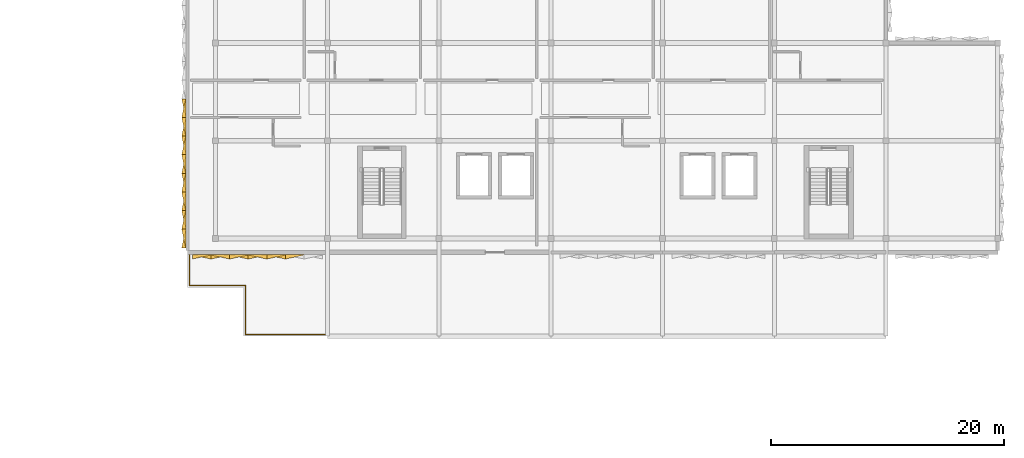
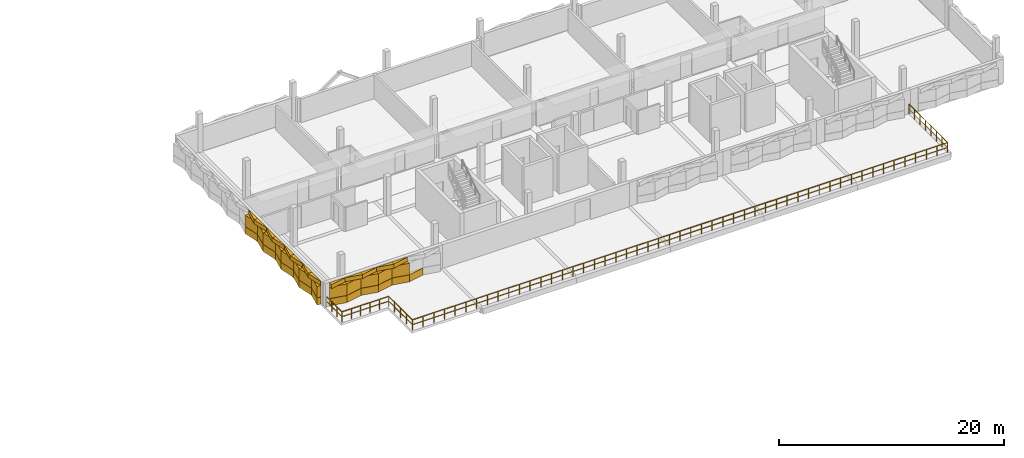
# One storey, part 9 of 13: 40 coverings, 1 railing.
"""IFC4 building model written with IfcOpenShell, lengths in metres."""

from ifc_helpers import new_model, si_unit, direction, frame, origin, origin_2d, place, context, subcontext, project, spatial, polyline, circle, outline, extrude, material, type_object, element, save


model = new_model("IFC4")

# Units and contexts
model_context = context("Model", 3, precision=1e-05, world=origin(), true_north=direction((0.0, 1.0)))
body_context = subcontext(model_context, "Body", "Model", "MODEL_VIEW")
ifc_project = project(units=[si_unit("LENGTHUNIT", "METRE"), si_unit("AREAUNIT", "SQUARE_METRE"), si_unit("VOLUMEUNIT", "CUBIC_METRE"), si_unit("PLANEANGLEUNIT", "RADIAN"), si_unit("MASSUNIT", "GRAM", prefix="KILO")], contexts=[model_context])

# Site, building, storey
site_placement = place(None, origin())
site = spatial("IfcSite", under=ifc_project, at=site_placement, CompositionType="ELEMENT")
building_placement = place(site_placement, origin())
building = spatial("IfcBuilding", under=site, at=building_placement, Name="Oolite Switchyard Hospital", CompositionType="ELEMENT")
storey_placement = place(building_placement, frame((0.0, 0.0, 30.39990234375)))
storey = spatial("IfcBuildingStorey", under=building, at=storey_placement, Name="L07", CompositionType="ELEMENT", Elevation=30.39990234375)

# Coverings
ifc_material_1 = material(Name="Precast oolitic limestone architectural concrete C40/50", Category="masonry")
covering_type = type_object("IfcCoveringType", Name="COV-CHEV-COOL", PredefinedType="CLADDING", material=ifc_material_1)
covering_1_placement = place(storey_placement, frame((151.60009765625, 107.820068359375, 0.050048828125), z_axis=(0.0, 0.0, 1.0), x_axis=(-1.0, 0.0, 0.0)))
element("IfcCovering", 1, at=covering_1_placement, inside=storey, type_object=covering_type, Name="L07 Chevron Precast Oolite Panel 1700", PredefinedType="CLADDING", context=body_context, shape_type="SweptSolid", body=[
    extrude(outline(polyline([(0.0, 0.0), (1.60009765625, 0.0), (1.60009765625, 0.385009765625), (0.0, 0.044921875), (0.0, 0.0)])), origin(), (0.0, 0.0, 1.0), 0.760009765625),
])
covering_2_placement = place(storey_placement, frame((150.0, 107.820068359375, 0.050048828125), z_axis=(0.0, 0.0, 1.0), x_axis=(-1.0, 0.0, 0.0)))
element("IfcCovering", 2, at=covering_2_placement, inside=storey, type_object=covering_type, Name="L07 Chevron Precast Oolite Panel 1703", PredefinedType="CLADDING", context=body_context, shape_type="SweptSolid", body=[
    extrude(outline(polyline([(0.0, 0.0), (1.60009765625, 0.0), (1.60009765625, 0.044921875), (0.0, 0.385009765625), (0.0, 0.0)])), origin(), (0.0, 0.0, 1.0), 0.760009765625),
])
covering_3_placement = place(storey_placement, frame((150.0, 107.820068359375, 2.090087890625), z_axis=(0.0, 0.0, 1.0), x_axis=(-1.0, 0.0, 0.0)))
element("IfcCovering", 3, at=covering_3_placement, inside=storey, type_object=covering_type, Name="L07 Chevron Precast Oolite Panel 1704", PredefinedType="CLADDING", context=body_context, shape_type="SweptSolid", body=[
    extrude(outline(polyline([(0.0, 0.0), (1.60009765625, 0.0), (1.60009765625, 0.385009765625), (0.0, 0.044921875), (0.0, 0.0)])), origin(), (0.0, 0.0, 1.0), 0.43994140625),
])
covering_4_placement = place(storey_placement, frame((150.0, 107.820068359375, 0.830078125), z_axis=(0.0, 0.0, 1.0), x_axis=(-1.0, 0.0, 0.0)))
element("IfcCovering", 4, at=covering_4_placement, inside=storey, type_object=covering_type, Name="L07 Chevron Precast Oolite Panel 1705", PredefinedType="CLADDING", context=body_context, shape_type="SweptSolid", body=[
    extrude(outline(polyline([(0.0, 0.0), (1.60009765625, 0.0), (1.60009765625, 0.044921875), (0.0, 0.385009765625), (0.0, 0.0)])), origin(), (0.0, 0.0, 1.0), 1.239990234375),
])
covering_5_placement = place(storey_placement, frame((148.39990234375, 107.820068359375, 0.050048828125), z_axis=(0.0, 0.0, 1.0), x_axis=(-1.0, 0.0, 0.0)))
element("IfcCovering", 5, at=covering_5_placement, inside=storey, type_object=covering_type, Name="L07 Chevron Precast Oolite Panel 1706", PredefinedType="CLADDING", context=body_context, shape_type="SweptSolid", body=[
    extrude(outline(polyline([(0.0, 0.0), (1.599853515625, 0.0), (1.599853515625, 0.385009765625), (0.0, 0.044921875), (0.0, 0.0)])), origin(), (0.0, 0.0, 1.0), 0.760009765625),
])
covering_6_placement = place(storey_placement, frame((148.39990234375, 107.820068359375, 2.090087890625), z_axis=(0.0, 0.0, 1.0), x_axis=(-1.0, 0.0, 0.0)))
element("IfcCovering", 6, at=covering_6_placement, inside=storey, type_object=covering_type, Name="L07 Chevron Precast Oolite Panel 1707", PredefinedType="CLADDING", context=body_context, shape_type="SweptSolid", body=[
    extrude(outline(polyline([(0.0, 0.0), (1.599853515625, 0.0), (1.599853515625, 0.044921875), (0.0, 0.385009765625), (0.0, 0.0)])), origin(), (0.0, 0.0, 1.0), 0.43994140625),
])
covering_7_placement = place(storey_placement, frame((148.39990234375, 107.820068359375, 0.830078125), z_axis=(0.0, 0.0, 1.0), x_axis=(-1.0, 0.0, 0.0)))
element("IfcCovering", 7, at=covering_7_placement, inside=storey, type_object=covering_type, Name="L07 Chevron Precast Oolite Panel 1708", PredefinedType="CLADDING", context=body_context, shape_type="SweptSolid", body=[
    extrude(outline(polyline([(0.0, 0.0), (1.599853515625, 0.0), (1.599853515625, 0.385009765625), (0.0, 0.044921875), (0.0, 0.0)])), origin(), (0.0, 0.0, 1.0), 1.239990234375),
])
covering_8_placement = place(storey_placement, frame((146.800048828125, 107.820068359375, 0.050048828125), z_axis=(0.0, 0.0, 1.0), x_axis=(-1.0, 0.0, 0.0)))
element("IfcCovering", 8, at=covering_8_placement, inside=storey, type_object=covering_type, Name="L07 Chevron Precast Oolite Panel 1709", PredefinedType="CLADDING", context=body_context, shape_type="SweptSolid", body=[
    extrude(outline(polyline([(0.0, 0.0), (1.60009765625, 0.0), (1.60009765625, 0.044921875), (0.0, 0.385009765625), (0.0, 0.0)])), origin(), (0.0, 0.0, 1.0), 0.760009765625),
])
covering_9_placement = place(storey_placement, frame((146.800048828125, 107.820068359375, 2.090087890625), z_axis=(0.0, 0.0, 1.0), x_axis=(-1.0, 0.0, 0.0)))
element("IfcCovering", 9, at=covering_9_placement, inside=storey, type_object=covering_type, Name="L07 Chevron Precast Oolite Panel 1710", PredefinedType="CLADDING", context=body_context, shape_type="SweptSolid", body=[
    extrude(outline(polyline([(0.0, 0.0), (1.60009765625, 0.0), (1.60009765625, 0.385009765625), (0.0, 0.044921875), (0.0, 0.0)])), origin(), (0.0, 0.0, 1.0), 0.43994140625),
])
covering_10_placement = place(storey_placement, frame((146.800048828125, 107.820068359375, 0.830078125), z_axis=(0.0, 0.0, 1.0), x_axis=(-1.0, 0.0, 0.0)))
element("IfcCovering", 10, at=covering_10_placement, inside=storey, type_object=covering_type, Name="L07 Chevron Precast Oolite Panel 1711", PredefinedType="CLADDING", context=body_context, shape_type="SweptSolid", body=[
    extrude(outline(polyline([(0.0, 0.0), (1.60009765625, 0.0), (1.60009765625, 0.044921875), (0.0, 0.385009765625), (0.0, 0.0)])), origin(), (0.0, 0.0, 1.0), 1.239990234375),
])
covering_11_placement = place(storey_placement, frame((145.199951171875, 107.820068359375, 0.050048828125), z_axis=(0.0, 0.0, 1.0), x_axis=(-1.0, 0.0, 0.0)))
element("IfcCovering", 11, at=covering_11_placement, inside=storey, type_object=covering_type, Name="L07 Chevron Precast Oolite Panel 1712", PredefinedType="CLADDING", context=body_context, shape_type="SweptSolid", body=[
    extrude(outline(polyline([(0.0, 0.0), (1.599853515625, 0.0), (1.599853515625, 0.385009765625), (0.0, 0.044921875), (0.0, 0.0)])), origin(), (0.0, 0.0, 1.0), 0.760009765625),
])
covering_12_placement = place(storey_placement, frame((145.199951171875, 107.820068359375, 2.090087890625), z_axis=(0.0, 0.0, 1.0), x_axis=(-1.0, 0.0, 0.0)))
element("IfcCovering", 12, at=covering_12_placement, inside=storey, type_object=covering_type, Name="L07 Chevron Precast Oolite Panel 1713", PredefinedType="CLADDING", context=body_context, shape_type="SweptSolid", body=[
    extrude(outline(polyline([(0.0, 0.0), (1.599853515625, 0.0), (1.599853515625, 0.044921875), (0.0, 0.385009765625), (0.0, 0.0)])), origin(), (0.0, 0.0, 1.0), 0.43994140625),
])
covering_13_placement = place(storey_placement, frame((145.199951171875, 107.820068359375, 0.830078125), z_axis=(0.0, 0.0, 1.0), x_axis=(-1.0, 0.0, 0.0)))
element("IfcCovering", 13, at=covering_13_placement, inside=storey, type_object=covering_type, Name="L07 Chevron Precast Oolite Panel 1714", PredefinedType="CLADDING", context=body_context, shape_type="SweptSolid", body=[
    extrude(outline(polyline([(0.0, 0.0), (1.599853515625, 0.0), (1.599853515625, 0.385009765625), (0.0, 0.044921875), (0.0, 0.0)])), origin(), (0.0, 0.0, 1.0), 1.239990234375),
])
covering_14_placement = place(storey_placement, frame((143.60009765625, 107.820068359375, 0.050048828125), z_axis=(0.0, 0.0, 1.0), x_axis=(-1.0, 0.0, 0.0)))
element("IfcCovering", 14, at=covering_14_placement, inside=storey, type_object=covering_type, Name="L07 Chevron Precast Oolite Panel 1715", PredefinedType="CLADDING", context=body_context, shape_type="SweptSolid", body=[
    extrude(outline(polyline([(0.0, 0.0), (1.60009765625, 0.0), (1.60009765625, 0.044921875), (0.0, 0.385009765625), (0.0, 0.0)])), origin(), (0.0, 0.0, 1.0), 0.760009765625),
])
covering_15_placement = place(storey_placement, frame((143.60009765625, 107.820068359375, 2.090087890625), z_axis=(0.0, 0.0, 1.0), x_axis=(-1.0, 0.0, 0.0)))
element("IfcCovering", 15, at=covering_15_placement, inside=storey, type_object=covering_type, Name="L07 Chevron Precast Oolite Panel 1716", PredefinedType="CLADDING", context=body_context, shape_type="SweptSolid", body=[
    extrude(outline(polyline([(0.0, 0.0), (1.60009765625, 0.0), (1.60009765625, 0.385009765625), (0.0, 0.044921875), (0.0, 0.0)])), origin(), (0.0, 0.0, 1.0), 0.43994140625),
])
covering_16_placement = place(storey_placement, frame((143.60009765625, 107.820068359375, 0.830078125), z_axis=(0.0, 0.0, 1.0), x_axis=(-1.0, 0.0, 0.0)))
element("IfcCovering", 16, at=covering_16_placement, inside=storey, type_object=covering_type, Name="L07 Chevron Precast Oolite Panel 1717", PredefinedType="CLADDING", context=body_context, shape_type="SweptSolid", body=[
    extrude(outline(polyline([(0.0, 0.0), (1.60009765625, 0.0), (1.60009765625, 0.044921875), (0.0, 0.385009765625), (0.0, 0.0)])), origin(), (0.0, 0.0, 1.0), 1.239990234375),
])
covering_17_placement = place(storey_placement, frame((141.469970703125, 108.39990234375, 0.050048828125), z_axis=(0.0, 0.0, 1.0), x_axis=(0.0, 1.0, 0.0)))
element("IfcCovering", 17, at=covering_17_placement, inside=storey, type_object=covering_type, Name="L07 Chevron Precast Oolite Panel 1844", PredefinedType="CLADDING", context=body_context, shape_type="SweptSolid", body=[
    extrude(outline(polyline([(0.0, 0.0), (1.60009765625, 0.0), (1.60009765625, 0.044921875), (0.0, 0.385009765625), (0.0, 0.0)])), origin(), (0.0, 0.0, 1.0), 0.760009765625),
])
covering_18_placement = place(storey_placement, frame((141.469970703125, 108.39990234375, 2.090087890625), z_axis=(0.0, 0.0, 1.0), x_axis=(0.0, 1.0, 0.0)))
element("IfcCovering", 18, at=covering_18_placement, inside=storey, type_object=covering_type, Name="L07 Chevron Precast Oolite Panel 1845", PredefinedType="CLADDING", context=body_context, shape_type="SweptSolid", body=[
    extrude(outline(polyline([(0.0, 0.0), (1.60009765625, 0.0), (1.60009765625, 0.385009765625), (0.0, 0.044921875), (0.0, 0.0)])), origin(), (0.0, 0.0, 1.0), 0.43994140625),
])
covering_19_placement = place(storey_placement, frame((141.469970703125, 108.39990234375, 0.830078125), z_axis=(0.0, 0.0, 1.0), x_axis=(0.0, 1.0, 0.0)))
element("IfcCovering", 19, at=covering_19_placement, inside=storey, type_object=covering_type, Name="L07 Chevron Precast Oolite Panel 1846", PredefinedType="CLADDING", context=body_context, shape_type="SweptSolid", body=[
    extrude(outline(polyline([(0.0, 0.0), (1.60009765625, 0.0), (1.60009765625, 0.044921875), (0.0, 0.385009765625), (0.0, 0.0)])), origin(), (0.0, 0.0, 1.0), 1.239990234375),
])
covering_20_placement = place(storey_placement, frame((141.469970703125, 110.0, 0.050048828125), z_axis=(0.0, 0.0, 1.0), x_axis=(0.0, 1.0, 0.0)))
element("IfcCovering", 20, at=covering_20_placement, inside=storey, type_object=covering_type, Name="L07 Chevron Precast Oolite Panel 1847", PredefinedType="CLADDING", context=body_context, shape_type="SweptSolid", body=[
    extrude(outline(polyline([(0.0, 0.0), (1.60009765625, 0.0), (1.60009765625, 0.385009765625), (0.0, 0.044921875), (0.0, 0.0)])), origin(), (0.0, 0.0, 1.0), 0.760009765625),
])
covering_21_placement = place(storey_placement, frame((141.469970703125, 110.0, 2.090087890625), z_axis=(0.0, 0.0, 1.0), x_axis=(0.0, 1.0, 0.0)))
element("IfcCovering", 21, at=covering_21_placement, inside=storey, type_object=covering_type, Name="L07 Chevron Precast Oolite Panel 1848", PredefinedType="CLADDING", context=body_context, shape_type="SweptSolid", body=[
    extrude(outline(polyline([(0.0, 0.0), (1.60009765625, 0.0), (1.60009765625, 0.044921875), (0.0, 0.385009765625), (0.0, 0.0)])), origin(), (0.0, 0.0, 1.0), 0.43994140625),
])
covering_22_placement = place(storey_placement, frame((141.469970703125, 110.0, 0.830078125), z_axis=(0.0, 0.0, 1.0), x_axis=(0.0, 1.0, 0.0)))
element("IfcCovering", 22, at=covering_22_placement, inside=storey, type_object=covering_type, Name="L07 Chevron Precast Oolite Panel 1849", PredefinedType="CLADDING", context=body_context, shape_type="SweptSolid", body=[
    extrude(outline(polyline([(0.0, 0.0), (1.60009765625, 0.0), (1.60009765625, 0.385009765625), (0.0, 0.044921875), (0.0, 0.0)])), origin(), (0.0, 0.0, 1.0), 1.239990234375),
])
covering_23_placement = place(storey_placement, frame((141.469970703125, 111.60009765625, 0.050048828125), z_axis=(0.0, 0.0, 1.0), x_axis=(0.0, 1.0, 0.0)))
element("IfcCovering", 23, at=covering_23_placement, inside=storey, type_object=covering_type, Name="L07 Chevron Precast Oolite Panel 1850", PredefinedType="CLADDING", context=body_context, shape_type="SweptSolid", body=[
    extrude(outline(polyline([(0.0, 0.0), (1.599853515625, 0.0), (1.599853515625, 0.044921875), (0.0, 0.385009765625), (0.0, 0.0)])), origin(), (0.0, 0.0, 1.0), 0.760009765625),
])
covering_24_placement = place(storey_placement, frame((141.469970703125, 111.60009765625, 2.090087890625), z_axis=(0.0, 0.0, 1.0), x_axis=(0.0, 1.0, 0.0)))
element("IfcCovering", 24, at=covering_24_placement, inside=storey, type_object=covering_type, Name="L07 Chevron Precast Oolite Panel 1851", PredefinedType="CLADDING", context=body_context, shape_type="SweptSolid", body=[
    extrude(outline(polyline([(0.0, 0.0), (1.599853515625, 0.0), (1.599853515625, 0.385009765625), (0.0, 0.044921875), (0.0, 0.0)])), origin(), (0.0, 0.0, 1.0), 0.43994140625),
])
covering_25_placement = place(storey_placement, frame((141.469970703125, 111.60009765625, 0.830078125), z_axis=(0.0, 0.0, 1.0), x_axis=(0.0, 1.0, 0.0)))
element("IfcCovering", 25, at=covering_25_placement, inside=storey, type_object=covering_type, Name="L07 Chevron Precast Oolite Panel 1852", PredefinedType="CLADDING", context=body_context, shape_type="SweptSolid", body=[
    extrude(outline(polyline([(0.0, 0.0), (1.599853515625, 0.0), (1.599853515625, 0.044921875), (0.0, 0.385009765625), (0.0, 0.0)])), origin(), (0.0, 0.0, 1.0), 1.239990234375),
])
covering_26_placement = place(storey_placement, frame((141.469970703125, 113.199951171875, 0.050048828125), z_axis=(0.0, 0.0, 1.0), x_axis=(0.0, 1.0, 0.0)))
element("IfcCovering", 26, at=covering_26_placement, inside=storey, type_object=covering_type, Name="L07 Chevron Precast Oolite Panel 1853", PredefinedType="CLADDING", context=body_context, shape_type="SweptSolid", body=[
    extrude(outline(polyline([(0.0, 0.0), (1.60009765625, 0.0), (1.60009765625, 0.385009765625), (0.0, 0.044921875), (0.0, 0.0)])), origin(), (0.0, 0.0, 1.0), 0.760009765625),
])
covering_27_placement = place(storey_placement, frame((141.469970703125, 113.199951171875, 2.090087890625), z_axis=(0.0, 0.0, 1.0), x_axis=(0.0, 1.0, 0.0)))
element("IfcCovering", 27, at=covering_27_placement, inside=storey, type_object=covering_type, Name="L07 Chevron Precast Oolite Panel 1854", PredefinedType="CLADDING", context=body_context, shape_type="SweptSolid", body=[
    extrude(outline(polyline([(0.0, 0.0), (1.60009765625, 0.0), (1.60009765625, 0.044921875), (0.0, 0.385009765625), (0.0, 0.0)])), origin(), (0.0, 0.0, 1.0), 0.43994140625),
])
covering_28_placement = place(storey_placement, frame((141.469970703125, 113.199951171875, 0.830078125), z_axis=(0.0, 0.0, 1.0), x_axis=(0.0, 1.0, 0.0)))
element("IfcCovering", 28, at=covering_28_placement, inside=storey, type_object=covering_type, Name="L07 Chevron Precast Oolite Panel 1855", PredefinedType="CLADDING", context=body_context, shape_type="SweptSolid", body=[
    extrude(outline(polyline([(0.0, 0.0), (1.60009765625, 0.0), (1.60009765625, 0.385009765625), (0.0, 0.044921875), (0.0, 0.0)])), origin(), (0.0, 0.0, 1.0), 1.239990234375),
])
covering_29_placement = place(storey_placement, frame((141.469970703125, 114.800048828125, 0.050048828125), z_axis=(0.0, 0.0, 1.0), x_axis=(0.0, 1.0, 0.0)))
element("IfcCovering", 29, at=covering_29_placement, inside=storey, type_object=covering_type, Name="L07 Chevron Precast Oolite Panel 1856", PredefinedType="CLADDING", context=body_context, shape_type="SweptSolid", body=[
    extrude(outline(polyline([(0.0, 0.0), (1.599853515625, 0.0), (1.599853515625, 0.044921875), (0.0, 0.385009765625), (0.0, 0.0)])), origin(), (0.0, 0.0, 1.0), 0.760009765625),
])
covering_30_placement = place(storey_placement, frame((141.469970703125, 114.800048828125, 2.090087890625), z_axis=(0.0, 0.0, 1.0), x_axis=(0.0, 1.0, 0.0)))
element("IfcCovering", 30, at=covering_30_placement, inside=storey, type_object=covering_type, Name="L07 Chevron Precast Oolite Panel 1857", PredefinedType="CLADDING", context=body_context, shape_type="SweptSolid", body=[
    extrude(outline(polyline([(0.0, 0.0), (1.599853515625, 0.0), (1.599853515625, 0.385009765625), (0.0, 0.044921875), (0.0, 0.0)])), origin(), (0.0, 0.0, 1.0), 0.43994140625),
])
covering_31_placement = place(storey_placement, frame((141.469970703125, 114.800048828125, 0.830078125), z_axis=(0.0, 0.0, 1.0), x_axis=(0.0, 1.0, 0.0)))
element("IfcCovering", 31, at=covering_31_placement, inside=storey, type_object=covering_type, Name="L07 Chevron Precast Oolite Panel 1858", PredefinedType="CLADDING", context=body_context, shape_type="SweptSolid", body=[
    extrude(outline(polyline([(0.0, 0.0), (1.599853515625, 0.0), (1.599853515625, 0.044921875), (0.0, 0.385009765625), (0.0, 0.0)])), origin(), (0.0, 0.0, 1.0), 1.239990234375),
])
covering_32_placement = place(storey_placement, frame((141.469970703125, 116.39990234375, 0.050048828125), z_axis=(0.0, 0.0, 1.0), x_axis=(0.0, 1.0, 0.0)))
element("IfcCovering", 32, at=covering_32_placement, inside=storey, type_object=covering_type, Name="L07 Chevron Precast Oolite Panel 1859", PredefinedType="CLADDING", context=body_context, shape_type="SweptSolid", body=[
    extrude(outline(polyline([(0.0, 0.0), (1.60009765625, 0.0), (1.60009765625, 0.385009765625), (0.0, 0.044921875), (0.0, 0.0)])), origin(), (0.0, 0.0, 1.0), 0.760009765625),
])
covering_33_placement = place(storey_placement, frame((141.469970703125, 116.39990234375, 2.090087890625), z_axis=(0.0, 0.0, 1.0), x_axis=(0.0, 1.0, 0.0)))
element("IfcCovering", 33, at=covering_33_placement, inside=storey, type_object=covering_type, Name="L07 Chevron Precast Oolite Panel 1860", PredefinedType="CLADDING", context=body_context, shape_type="SweptSolid", body=[
    extrude(outline(polyline([(0.0, 0.0), (1.60009765625, 0.0), (1.60009765625, 0.044921875), (0.0, 0.385009765625), (0.0, 0.0)])), origin(), (0.0, 0.0, 1.0), 0.43994140625),
])
covering_34_placement = place(storey_placement, frame((141.469970703125, 116.39990234375, 0.830078125), z_axis=(0.0, 0.0, 1.0), x_axis=(0.0, 1.0, 0.0)))
element("IfcCovering", 34, at=covering_34_placement, inside=storey, type_object=covering_type, Name="L07 Chevron Precast Oolite Panel 1861", PredefinedType="CLADDING", context=body_context, shape_type="SweptSolid", body=[
    extrude(outline(polyline([(0.0, 0.0), (1.60009765625, 0.0), (1.60009765625, 0.385009765625), (0.0, 0.044921875), (0.0, 0.0)])), origin(), (0.0, 0.0, 1.0), 1.239990234375),
])
covering_35_placement = place(storey_placement, frame((141.469970703125, 118.0, 0.050048828125), z_axis=(0.0, 0.0, 1.0), x_axis=(0.0, 1.0, 0.0)))
element("IfcCovering", 35, at=covering_35_placement, inside=storey, type_object=covering_type, Name="L07 Chevron Precast Oolite Panel 1862", PredefinedType="CLADDING", context=body_context, shape_type="SweptSolid", body=[
    extrude(outline(polyline([(0.0, 0.0), (1.60009765625, 0.0), (1.60009765625, 0.044921875), (0.0, 0.385009765625), (0.0, 0.0)])), origin(), (0.0, 0.0, 1.0), 0.760009765625),
])
covering_36_placement = place(storey_placement, frame((141.469970703125, 118.0, 2.090087890625), z_axis=(0.0, 0.0, 1.0), x_axis=(0.0, 1.0, 0.0)))
element("IfcCovering", 36, at=covering_36_placement, inside=storey, type_object=covering_type, Name="L07 Chevron Precast Oolite Panel 1863", PredefinedType="CLADDING", context=body_context, shape_type="SweptSolid", body=[
    extrude(outline(polyline([(0.0, 0.0), (1.60009765625, 0.0), (1.60009765625, 0.385009765625), (0.0, 0.044921875), (0.0, 0.0)])), origin(), (0.0, 0.0, 1.0), 0.43994140625),
])
covering_37_placement = place(storey_placement, frame((141.469970703125, 118.0, 0.830078125), z_axis=(0.0, 0.0, 1.0), x_axis=(0.0, 1.0, 0.0)))
element("IfcCovering", 37, at=covering_37_placement, inside=storey, type_object=covering_type, Name="L07 Chevron Precast Oolite Panel 1864", PredefinedType="CLADDING", context=body_context, shape_type="SweptSolid", body=[
    extrude(outline(polyline([(0.0, 0.0), (1.60009765625, 0.0), (1.60009765625, 0.044921875), (0.0, 0.385009765625), (0.0, 0.0)])), origin(), (0.0, 0.0, 1.0), 1.239990234375),
])
covering_38_placement = place(storey_placement, frame((141.469970703125, 119.60009765625, 0.050048828125), z_axis=(0.0, 0.0, 1.0), x_axis=(0.0, 1.0, 0.0)))
element("IfcCovering", 38, at=covering_38_placement, inside=storey, type_object=covering_type, Name="L07 Chevron Precast Oolite Panel 1865", PredefinedType="CLADDING", context=body_context, shape_type="SweptSolid", body=[
    extrude(outline(polyline([(0.0, 0.0), (1.599853515625, 0.0), (1.599853515625, 0.385009765625), (0.0, 0.044921875), (0.0, 0.0)])), origin(), (0.0, 0.0, 1.0), 0.760009765625),
])
covering_39_placement = place(storey_placement, frame((141.469970703125, 119.60009765625, 2.090087890625), z_axis=(0.0, 0.0, 1.0), x_axis=(0.0, 1.0, 0.0)))
element("IfcCovering", 39, at=covering_39_placement, inside=storey, type_object=covering_type, Name="L07 Chevron Precast Oolite Panel 1866", PredefinedType="CLADDING", context=body_context, shape_type="SweptSolid", body=[
    extrude(outline(polyline([(0.0, 0.0), (1.599853515625, 0.0), (1.599853515625, 0.044921875), (0.0, 0.385009765625), (0.0, 0.0)])), origin(), (0.0, 0.0, 1.0), 0.43994140625),
])
covering_40_placement = place(storey_placement, frame((141.469970703125, 119.60009765625, 0.830078125), z_axis=(0.0, 0.0, 1.0), x_axis=(0.0, 1.0, 0.0)))
element("IfcCovering", 40, at=covering_40_placement, inside=storey, type_object=covering_type, Name="L07 Chevron Precast Oolite Panel 1867", PredefinedType="CLADDING", context=body_context, shape_type="SweptSolid", body=[
    extrude(outline(polyline([(0.0, 0.0), (1.599853515625, 0.0), (1.599853515625, 0.385009765625), (0.0, 0.044921875), (0.0, 0.0)])), origin(), (0.0, 0.0, 1.0), 1.239990234375),
])

# Railing
ifc_material_2 = material(Name="Precast oolitic limestone classical balustrade", Category="masonry")
railing_type = type_object("IfcRailingType", Name="RL-BAL-110", PredefinedType="BALUSTRADE", material=ifc_material_2)
railing_placement = place(storey_placement, frame((141.75, 107.85009765625, 0.0)))
element("IfcRailing", 41, at=railing_placement, inside=storey, type_object=railing_type, Name="L07 Terrace Perimeter Guard 10", PredefinedType="BALUSTRADE", context=body_context, shape_type="SweptSolid", body=[
    extrude(circle(Radius=0.02392578125, at=origin_2d()), frame((0.0, 0.0, 1.076171875), z_axis=(0.0, -1.0, 0.0), x_axis=(1.0, 0.0, 0.0)), (0.0, 0.0, 1.0), 2.7001953125),
    extrude(circle(Radius=0.015625, at=origin_2d()), frame((0.0, 0.0, 0.550048828125), z_axis=(0.0, -1.0, 0.0), x_axis=(1.0, 0.0, 0.0)), (0.0, 0.0, 1.0), 2.7001953125),
    extrude(circle(Radius=0.02392578125, at=origin_2d()), frame((0.0, -2.7001953125, 1.076171875), z_axis=(1.0, 0.0, 0.0), x_axis=(0.0, 1.0, 0.0)), (0.0, 0.0, 1.0), 4.800048828125),
    extrude(circle(Radius=0.015625, at=origin_2d()), frame((0.0, -2.7001953125, 0.550048828125), z_axis=(1.0, 0.0, 0.0), x_axis=(0.0, 1.0, 0.0)), (0.0, 0.0, 1.0), 4.800048828125),
    extrude(circle(Radius=0.02392578125, at=origin_2d()), frame((4.800048828125, -2.7001953125, 1.076171875), z_axis=(0.0, -1.0, 0.0), x_axis=(1.0, 0.0, 0.0)), (0.0, 0.0, 1.0), 4.199951171875),
    extrude(circle(Radius=0.015625, at=origin_2d()), frame((4.800048828125, -2.7001953125, 0.550048828125), z_axis=(0.0, -1.0, 0.0), x_axis=(1.0, 0.0, 0.0)), (0.0, 0.0, 1.0), 4.199951171875),
    extrude(circle(Radius=0.02392578125, at=origin_2d()), frame((4.800048828125, -6.900146484375, 1.076171875), z_axis=(1.0, 0.0, 0.0), x_axis=(0.0, 1.0, 0.0)), (0.0, 0.0, 1.0), 54.89990234375),
    extrude(circle(Radius=0.015625, at=origin_2d()), frame((4.800048828125, -6.900146484375, 0.550048828125), z_axis=(1.0, 0.0, 0.0), x_axis=(0.0, 1.0, 0.0)), (0.0, 0.0, 1.0), 54.89990234375),
    extrude(circle(Radius=0.02392578125, at=origin_2d()), frame((59.699951171875, -6.900146484375, 1.076171875), z_axis=(0.0, 1.0, 0.0), x_axis=(-1.0, 0.0, 0.0)), (0.0, 0.0, 1.0), 6.900146484375),
    extrude(circle(Radius=0.015625, at=origin_2d()), frame((59.699951171875, -6.900146484375, 0.550048828125), z_axis=(0.0, 1.0, 0.0), x_axis=(-1.0, 0.0, 0.0)), (0.0, 0.0, 1.0), 6.900146484375),
    extrude(circle(Radius=0.02099609375, at=origin_2d()), origin(), (0.0, 0.0, 1.0), 1.052001953125),
    extrude(circle(Radius=0.02099609375, at=origin_2d()), frame((0.0, -0.900146484375, 0.0)), (0.0, 0.0, 1.0), 1.052001953125),
    extrude(circle(Radius=0.02099609375, at=origin_2d()), frame((0.0, -1.800048828125, 0.0)), (0.0, 0.0, 1.0), 1.052001953125),
    extrude(circle(Radius=0.02099609375, at=origin_2d()), frame((0.0, -2.7001953125, 0.0)), (0.0, 0.0, 1.0), 1.052001953125),
    extrude(circle(Radius=0.02099609375, at=origin_2d()), frame((0.9599609375, -2.7001953125, 0.0)), (0.0, 0.0, 1.0), 1.052001953125),
    extrude(circle(Radius=0.02099609375, at=origin_2d()), frame((1.919921875, -2.7001953125, 0.0)), (0.0, 0.0, 1.0), 1.052001953125),
    extrude(circle(Radius=0.02099609375, at=origin_2d()), frame((2.880126953125, -2.7001953125, 0.0)), (0.0, 0.0, 1.0), 1.052001953125),
    extrude(circle(Radius=0.02099609375, at=origin_2d()), frame((3.840087890625, -2.7001953125, 0.0)), (0.0, 0.0, 1.0), 1.052001953125),
    extrude(circle(Radius=0.02099609375, at=origin_2d()), frame((4.800048828125, -2.7001953125, 0.0)), (0.0, 0.0, 1.0), 1.052001953125),
    extrude(circle(Radius=0.02099609375, at=origin_2d()), frame((4.800048828125, -3.750244140625, 0.0)), (0.0, 0.0, 1.0), 1.052001953125),
    extrude(circle(Radius=0.02099609375, at=origin_2d()), frame((4.800048828125, -4.80029296875, 0.0)), (0.0, 0.0, 1.0), 1.052001953125),
    extrude(circle(Radius=0.02099609375, at=origin_2d()), frame((4.800048828125, -5.85009765625, 0.0)), (0.0, 0.0, 1.0), 1.052001953125),
    extrude(circle(Radius=0.02099609375, at=origin_2d()), frame((4.800048828125, -6.900146484375, 0.0)), (0.0, 0.0, 1.0), 1.052001953125),
    extrude(circle(Radius=0.02099609375, at=origin_2d()), frame((5.89794921875, -6.900146484375, 0.0)), (0.0, 0.0, 1.0), 1.052001953125),
    extrude(circle(Radius=0.02099609375, at=origin_2d()), frame((6.99609375, -6.900146484375, 0.0)), (0.0, 0.0, 1.0), 1.052001953125),
    extrude(circle(Radius=0.02099609375, at=origin_2d()), frame((8.093994140625, -6.900146484375, 0.0)), (0.0, 0.0, 1.0), 1.052001953125),
    extrude(circle(Radius=0.02099609375, at=origin_2d()), frame((9.192138671875, -6.900146484375, 0.0)), (0.0, 0.0, 1.0), 1.052001953125),
    extrude(circle(Radius=0.02099609375, at=origin_2d()), frame((10.2900390625, -6.900146484375, 0.0)), (0.0, 0.0, 1.0), 1.052001953125),
    extrude(circle(Radius=0.02099609375, at=origin_2d()), frame((11.387939453125, -6.900146484375, 0.0)), (0.0, 0.0, 1.0), 1.052001953125),
    extrude(circle(Radius=0.02099609375, at=origin_2d()), frame((12.486083984375, -6.900146484375, 0.0)), (0.0, 0.0, 1.0), 1.052001953125),
    extrude(circle(Radius=0.02099609375, at=origin_2d()), frame((13.583984375, -6.900146484375, 0.0)), (0.0, 0.0, 1.0), 1.052001953125),
    extrude(circle(Radius=0.02099609375, at=origin_2d()), frame((14.68212890625, -6.900146484375, 0.0)), (0.0, 0.0, 1.0), 1.052001953125),
    extrude(circle(Radius=0.02099609375, at=origin_2d()), frame((15.780029296875, -6.900146484375, 0.0)), (0.0, 0.0, 1.0), 1.052001953125),
    extrude(circle(Radius=0.02099609375, at=origin_2d()), frame((16.8779296875, -6.900146484375, 0.0)), (0.0, 0.0, 1.0), 1.052001953125),
    extrude(circle(Radius=0.02099609375, at=origin_2d()), frame((17.97607421875, -6.900146484375, 0.0)), (0.0, 0.0, 1.0), 1.052001953125),
    extrude(circle(Radius=0.02099609375, at=origin_2d()), frame((19.073974609375, -6.900146484375, 0.0)), (0.0, 0.0, 1.0), 1.052001953125),
    extrude(circle(Radius=0.02099609375, at=origin_2d()), frame((20.172119140625, -6.900146484375, 0.0)), (0.0, 0.0, 1.0), 1.052001953125),
    extrude(circle(Radius=0.02099609375, at=origin_2d()), frame((21.27001953125, -6.900146484375, 0.0)), (0.0, 0.0, 1.0), 1.052001953125),
    extrude(circle(Radius=0.02099609375, at=origin_2d()), frame((22.367919921875, -6.900146484375, 0.0)), (0.0, 0.0, 1.0), 1.052001953125),
    extrude(circle(Radius=0.02099609375, at=origin_2d()), frame((23.466064453125, -6.900146484375, 0.0)), (0.0, 0.0, 1.0), 1.052001953125),
    extrude(circle(Radius=0.02099609375, at=origin_2d()), frame((24.56396484375, -6.900146484375, 0.0)), (0.0, 0.0, 1.0), 1.052001953125),
    extrude(circle(Radius=0.02099609375, at=origin_2d()), frame((25.662109375, -6.900146484375, 0.0)), (0.0, 0.0, 1.0), 1.052001953125),
    extrude(circle(Radius=0.02099609375, at=origin_2d()), frame((26.760009765625, -6.900146484375, 0.0)), (0.0, 0.0, 1.0), 1.052001953125),
    extrude(circle(Radius=0.02099609375, at=origin_2d()), frame((27.85791015625, -6.900146484375, 0.0)), (0.0, 0.0, 1.0), 1.052001953125),
    extrude(circle(Radius=0.02099609375, at=origin_2d()), frame((28.9560546875, -6.900146484375, 0.0)), (0.0, 0.0, 1.0), 1.052001953125),
    extrude(circle(Radius=0.02099609375, at=origin_2d()), frame((30.053955078125, -6.900146484375, 0.0)), (0.0, 0.0, 1.0), 1.052001953125),
    extrude(circle(Radius=0.02099609375, at=origin_2d()), frame((31.152099609375, -6.900146484375, 0.0)), (0.0, 0.0, 1.0), 1.052001953125),
    extrude(circle(Radius=0.02099609375, at=origin_2d()), frame((32.25, -6.900146484375, 0.0)), (0.0, 0.0, 1.0), 1.052001953125),
    extrude(circle(Radius=0.02099609375, at=origin_2d()), frame((33.347900390625, -6.900146484375, 0.0)), (0.0, 0.0, 1.0), 1.052001953125),
    extrude(circle(Radius=0.02099609375, at=origin_2d()), frame((34.446044921875, -6.900146484375, 0.0)), (0.0, 0.0, 1.0), 1.052001953125),
    extrude(circle(Radius=0.02099609375, at=origin_2d()), frame((35.5439453125, -6.900146484375, 0.0)), (0.0, 0.0, 1.0), 1.052001953125),
    extrude(circle(Radius=0.02099609375, at=origin_2d()), frame((36.64208984375, -6.900146484375, 0.0)), (0.0, 0.0, 1.0), 1.052001953125),
    extrude(circle(Radius=0.02099609375, at=origin_2d()), frame((37.739990234375, -6.900146484375, 0.0)), (0.0, 0.0, 1.0), 1.052001953125),
    extrude(circle(Radius=0.02099609375, at=origin_2d()), frame((38.837890625, -6.900146484375, 0.0)), (0.0, 0.0, 1.0), 1.052001953125),
    extrude(circle(Radius=0.02099609375, at=origin_2d()), frame((39.93603515625, -6.900146484375, 0.0)), (0.0, 0.0, 1.0), 1.052001953125),
    extrude(circle(Radius=0.02099609375, at=origin_2d()), frame((41.033935546875, -6.900146484375, 0.0)), (0.0, 0.0, 1.0), 1.052001953125),
    extrude(circle(Radius=0.02099609375, at=origin_2d()), frame((42.132080078125, -6.900146484375, 0.0)), (0.0, 0.0, 1.0), 1.052001953125),
    extrude(circle(Radius=0.02099609375, at=origin_2d()), frame((43.22998046875, -6.900146484375, 0.0)), (0.0, 0.0, 1.0), 1.052001953125),
    extrude(circle(Radius=0.02099609375, at=origin_2d()), frame((44.327880859375, -6.900146484375, 0.0)), (0.0, 0.0, 1.0), 1.052001953125),
    extrude(circle(Radius=0.02099609375, at=origin_2d()), frame((45.426025390625, -6.900146484375, 0.0)), (0.0, 0.0, 1.0), 1.052001953125),
    extrude(circle(Radius=0.02099609375, at=origin_2d()), frame((46.52392578125, -6.900146484375, 0.0)), (0.0, 0.0, 1.0), 1.052001953125),
    extrude(circle(Radius=0.02099609375, at=origin_2d()), frame((47.6220703125, -6.900146484375, 0.0)), (0.0, 0.0, 1.0), 1.052001953125),
    extrude(circle(Radius=0.02099609375, at=origin_2d()), frame((48.719970703125, -6.900146484375, 0.0)), (0.0, 0.0, 1.0), 1.052001953125),
    extrude(circle(Radius=0.02099609375, at=origin_2d()), frame((49.81787109375, -6.900146484375, 0.0)), (0.0, 0.0, 1.0), 1.052001953125),
    extrude(circle(Radius=0.02099609375, at=origin_2d()), frame((50.916015625, -6.900146484375, 0.0)), (0.0, 0.0, 1.0), 1.052001953125),
    extrude(circle(Radius=0.02099609375, at=origin_2d()), frame((52.013916015625, -6.900146484375, 0.0)), (0.0, 0.0, 1.0), 1.052001953125),
    extrude(circle(Radius=0.02099609375, at=origin_2d()), frame((53.112060546875, -6.900146484375, 0.0)), (0.0, 0.0, 1.0), 1.052001953125),
    extrude(circle(Radius=0.02099609375, at=origin_2d()), frame((54.2099609375, -6.900146484375, 0.0)), (0.0, 0.0, 1.0), 1.052001953125),
    extrude(circle(Radius=0.02099609375, at=origin_2d()), frame((55.307861328125, -6.900146484375, 0.0)), (0.0, 0.0, 1.0), 1.052001953125),
    extrude(circle(Radius=0.02099609375, at=origin_2d()), frame((56.406005859375, -6.900146484375, 0.0)), (0.0, 0.0, 1.0), 1.052001953125),
    extrude(circle(Radius=0.02099609375, at=origin_2d()), frame((57.50390625, -6.900146484375, 0.0)), (0.0, 0.0, 1.0), 1.052001953125),
    extrude(circle(Radius=0.02099609375, at=origin_2d()), frame((58.60205078125, -6.900146484375, 0.0)), (0.0, 0.0, 1.0), 1.052001953125),
    extrude(circle(Radius=0.02099609375, at=origin_2d()), frame((59.699951171875, -6.900146484375, 0.0)), (0.0, 0.0, 1.0), 1.052001953125),
    extrude(circle(Radius=0.02099609375, at=origin_2d()), frame((59.699951171875, -5.914306640625, 0.0)), (0.0, 0.0, 1.0), 1.052001953125),
    extrude(circle(Radius=0.02099609375, at=origin_2d()), frame((59.699951171875, -4.9287109375, 0.0)), (0.0, 0.0, 1.0), 1.052001953125),
    extrude(circle(Radius=0.02099609375, at=origin_2d()), frame((59.699951171875, -3.94287109375, 0.0)), (0.0, 0.0, 1.0), 1.052001953125),
    extrude(circle(Radius=0.02099609375, at=origin_2d()), frame((59.699951171875, -2.957275390625, 0.0)), (0.0, 0.0, 1.0), 1.052001953125),
    extrude(circle(Radius=0.02099609375, at=origin_2d()), frame((59.699951171875, -1.971435546875, 0.0)), (0.0, 0.0, 1.0), 1.052001953125),
    extrude(circle(Radius=0.02099609375, at=origin_2d()), frame((59.699951171875, -0.98583984375, 0.0)), (0.0, 0.0, 1.0), 1.052001953125),
    extrude(circle(Radius=0.02099609375, at=origin_2d()), frame((59.699951171875, 0.0, 0.0)), (0.0, 0.0, 1.0), 1.052001953125),
])

save(model, "model.ifc")
